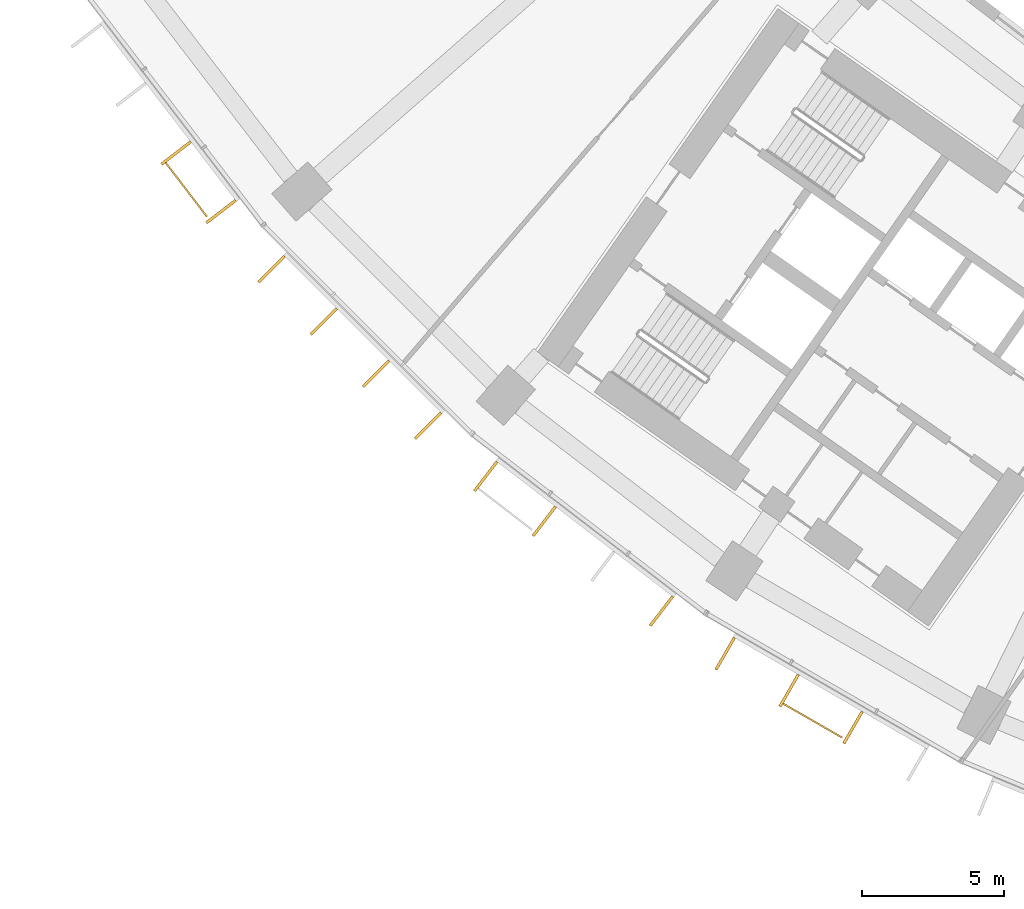
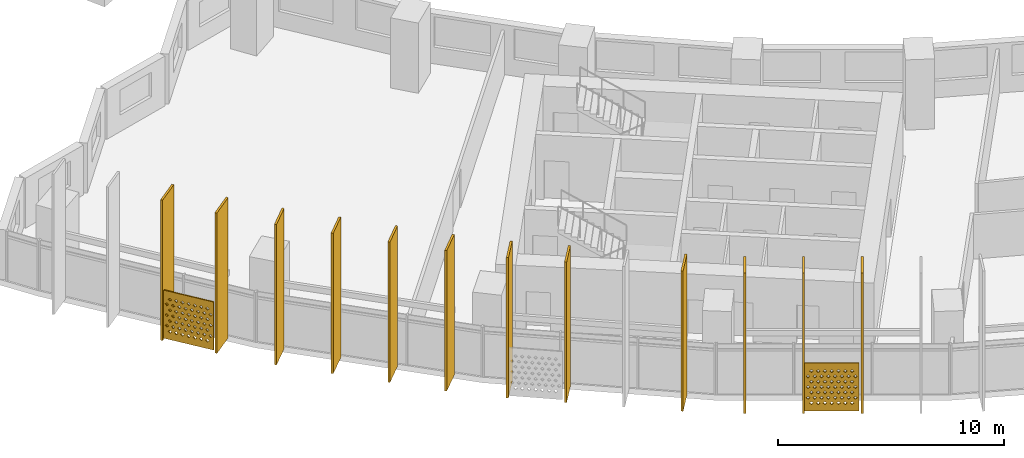
# One storey, part 24 of 31: 14 shading devices.
"""IFC4 building model written with IfcOpenShell, lengths in metres."""

from ifc_helpers import new_model, si_unit, direction, frame, origin, origin_2d, place, context, subcontext, project, spatial, polyline, rectangle, outline, extrude, material, material_profile, profile_set, type_object, element, save


model = new_model("IFC4")

# Units and contexts
model_context = context("Model", 3, precision=1e-05, world=origin(), true_north=direction((0.0, 1.0)))
body_context = subcontext(model_context, "Body", "Model", "MODEL_VIEW")
ifc_project = project(units=[si_unit("LENGTHUNIT", "METRE"), si_unit("AREAUNIT", "SQUARE_METRE"), si_unit("VOLUMEUNIT", "CUBIC_METRE"), si_unit("PLANEANGLEUNIT", "RADIAN"), si_unit("MASSUNIT", "GRAM", prefix="KILO")], contexts=[model_context])

# Site, building, storey
site_placement = place(None, origin())
site = spatial("IfcSite", under=ifc_project, at=site_placement, CompositionType="ELEMENT")
building_placement = place(site_placement, origin())
building = spatial("IfcBuilding", under=site, at=building_placement, Name="Qamariyya Broadcast Tower", CompositionType="ELEMENT")
storey_placement = place(building_placement, frame((0.0, 0.0, 48.10009765625)))
storey = spatial("IfcBuildingStorey", under=building, at=storey_placement, Name="L08", CompositionType="ELEMENT", Elevation=48.10009765625)

# Shading devices
ifc_material_1 = material(Name="Perforated glazed terracotta", Category="masonry")
ifc_material_profile_1 = material_profile(ifc_material_1, outline(polyline([(-1.199951171875, -1.300048828125), (1.199951171875, -1.300048828125), (1.199951171875, 1.300048828125), (-1.199951171875, 1.300048828125), (-1.199951171875, -1.300048828125)]), holes=[polyline([(-0.81494140625, -0.86669921875), (-0.89990234375, -0.78173828125), (-0.985107421875, -0.86669921875), (-0.89990234375, -0.95166015625), (-0.81494140625, -0.86669921875)]), polyline([(-0.514892578125, -0.86669921875), (-0.60009765625, -0.78173828125), (-0.68505859375, -0.86669921875), (-0.60009765625, -0.95166015625), (-0.514892578125, -0.86669921875)]), polyline([(-0.215087890625, -0.86669921875), (-0.300048828125, -0.78173828125), (-0.385009765625, -0.86669921875), (-0.300048828125, -0.95166015625), (-0.215087890625, -0.86669921875)]), polyline([(0.0849609375, -0.86669921875), (0.0, -0.78173828125), (-0.0849609375, -0.86669921875), (0.0, -0.95166015625), (0.0849609375, -0.86669921875)]), polyline([(0.385009765625, -0.86669921875), (0.300048828125, -0.78173828125), (0.215087890625, -0.86669921875), (0.300048828125, -0.95166015625), (0.385009765625, -0.86669921875)]), polyline([(0.68505859375, -0.86669921875), (0.60009765625, -0.78173828125), (0.514892578125, -0.86669921875), (0.60009765625, -0.95166015625), (0.68505859375, -0.86669921875)]), polyline([(0.985107421875, -0.86669921875), (0.89990234375, -0.78173828125), (0.81494140625, -0.86669921875), (0.89990234375, -0.95166015625), (0.985107421875, -0.86669921875)]), polyline([(-0.965087890625, -0.577880859375), (-1.050048828125, -0.49267578125), (-1.135009765625, -0.577880859375), (-1.050048828125, -0.662841796875), (-0.965087890625, -0.577880859375)]), polyline([(-0.6650390625, -0.577880859375), (-0.75, -0.49267578125), (-0.8349609375, -0.577880859375), (-0.75, -0.662841796875), (-0.6650390625, -0.577880859375)]), polyline([(-0.364990234375, -0.577880859375), (-0.449951171875, -0.49267578125), (-0.534912109375, -0.577880859375), (-0.449951171875, -0.662841796875), (-0.364990234375, -0.577880859375)]), polyline([(-0.06494140625, -0.577880859375), (-0.14990234375, -0.49267578125), (-0.235107421875, -0.577880859375), (-0.14990234375, -0.662841796875), (-0.06494140625, -0.577880859375)]), polyline([(0.235107421875, -0.577880859375), (0.14990234375, -0.49267578125), (0.06494140625, -0.577880859375), (0.14990234375, -0.662841796875), (0.235107421875, -0.577880859375)]), polyline([(0.534912109375, -0.577880859375), (0.449951171875, -0.49267578125), (0.364990234375, -0.577880859375), (0.449951171875, -0.662841796875), (0.534912109375, -0.577880859375)]), polyline([(0.8349609375, -0.577880859375), (0.75, -0.49267578125), (0.6650390625, -0.577880859375), (0.75, -0.662841796875), (0.8349609375, -0.577880859375)]), polyline([(1.135009765625, -0.577880859375), (1.050048828125, -0.49267578125), (0.965087890625, -0.577880859375), (1.050048828125, -0.662841796875), (1.135009765625, -0.577880859375)]), polyline([(-0.81494140625, -0.288818359375), (-0.89990234375, -0.203857421875), (-0.985107421875, -0.288818359375), (-0.89990234375, -0.373779296875), (-0.81494140625, -0.288818359375)]), polyline([(-0.514892578125, -0.288818359375), (-0.60009765625, -0.203857421875), (-0.68505859375, -0.288818359375), (-0.60009765625, -0.373779296875), (-0.514892578125, -0.288818359375)]), polyline([(-0.215087890625, -0.288818359375), (-0.300048828125, -0.203857421875), (-0.385009765625, -0.288818359375), (-0.300048828125, -0.373779296875), (-0.215087890625, -0.288818359375)]), polyline([(0.0849609375, -0.288818359375), (0.0, -0.203857421875), (-0.0849609375, -0.288818359375), (0.0, -0.373779296875), (0.0849609375, -0.288818359375)]), polyline([(0.385009765625, -0.288818359375), (0.300048828125, -0.203857421875), (0.215087890625, -0.288818359375), (0.300048828125, -0.373779296875), (0.385009765625, -0.288818359375)]), polyline([(0.68505859375, -0.288818359375), (0.60009765625, -0.203857421875), (0.514892578125, -0.288818359375), (0.60009765625, -0.373779296875), (0.68505859375, -0.288818359375)]), polyline([(0.985107421875, -0.288818359375), (0.89990234375, -0.203857421875), (0.81494140625, -0.288818359375), (0.89990234375, -0.373779296875), (0.985107421875, -0.288818359375)]), polyline([(-0.965087890625, 0.0), (-1.050048828125, 0.0849609375), (-1.135009765625, 0.0), (-1.050048828125, -0.0849609375), (-0.965087890625, 0.0)]), polyline([(-0.6650390625, 0.0), (-0.75, 0.0849609375), (-0.8349609375, 0.0), (-0.75, -0.0849609375), (-0.6650390625, 0.0)]), polyline([(-0.364990234375, 0.0), (-0.449951171875, 0.0849609375), (-0.534912109375, 0.0), (-0.449951171875, -0.0849609375), (-0.364990234375, 0.0)]), polyline([(-0.06494140625, 0.0), (-0.14990234375, 0.0849609375), (-0.235107421875, 0.0), (-0.14990234375, -0.0849609375), (-0.06494140625, 0.0)]), polyline([(0.235107421875, 0.0), (0.14990234375, 0.0849609375), (0.06494140625, 0.0), (0.14990234375, -0.0849609375), (0.235107421875, 0.0)]), polyline([(0.534912109375, 0.0), (0.449951171875, 0.0849609375), (0.364990234375, 0.0), (0.449951171875, -0.0849609375), (0.534912109375, 0.0)]), polyline([(0.8349609375, 0.0), (0.75, 0.0849609375), (0.6650390625, 0.0), (0.75, -0.0849609375), (0.8349609375, 0.0)]), polyline([(1.135009765625, 0.0), (1.050048828125, 0.0849609375), (0.965087890625, 0.0), (1.050048828125, -0.0849609375), (1.135009765625, 0.0)]), polyline([(-0.81494140625, 0.288818359375), (-0.89990234375, 0.373779296875), (-0.985107421875, 0.288818359375), (-0.89990234375, 0.203857421875), (-0.81494140625, 0.288818359375)]), polyline([(-0.514892578125, 0.288818359375), (-0.60009765625, 0.373779296875), (-0.68505859375, 0.288818359375), (-0.60009765625, 0.203857421875), (-0.514892578125, 0.288818359375)]), polyline([(-0.215087890625, 0.288818359375), (-0.300048828125, 0.373779296875), (-0.385009765625, 0.288818359375), (-0.300048828125, 0.203857421875), (-0.215087890625, 0.288818359375)]), polyline([(0.0849609375, 0.288818359375), (0.0, 0.373779296875), (-0.0849609375, 0.288818359375), (0.0, 0.203857421875), (0.0849609375, 0.288818359375)]), polyline([(0.385009765625, 0.288818359375), (0.300048828125, 0.373779296875), (0.215087890625, 0.288818359375), (0.300048828125, 0.203857421875), (0.385009765625, 0.288818359375)]), polyline([(0.68505859375, 0.288818359375), (0.60009765625, 0.373779296875), (0.514892578125, 0.288818359375), (0.60009765625, 0.203857421875), (0.68505859375, 0.288818359375)]), polyline([(0.985107421875, 0.288818359375), (0.89990234375, 0.373779296875), (0.81494140625, 0.288818359375), (0.89990234375, 0.203857421875), (0.985107421875, 0.288818359375)]), polyline([(-0.965087890625, 0.577880859375), (-1.050048828125, 0.662841796875), (-1.135009765625, 0.577880859375), (-1.050048828125, 0.49267578125), (-0.965087890625, 0.577880859375)]), polyline([(-0.6650390625, 0.577880859375), (-0.75, 0.662841796875), (-0.8349609375, 0.577880859375), (-0.75, 0.49267578125), (-0.6650390625, 0.577880859375)]), polyline([(-0.364990234375, 0.577880859375), (-0.449951171875, 0.662841796875), (-0.534912109375, 0.577880859375), (-0.449951171875, 0.49267578125), (-0.364990234375, 0.577880859375)]), polyline([(-0.06494140625, 0.577880859375), (-0.14990234375, 0.662841796875), (-0.235107421875, 0.577880859375), (-0.14990234375, 0.49267578125), (-0.06494140625, 0.577880859375)]), polyline([(0.235107421875, 0.577880859375), (0.14990234375, 0.662841796875), (0.06494140625, 0.577880859375), (0.14990234375, 0.49267578125), (0.235107421875, 0.577880859375)]), polyline([(0.534912109375, 0.577880859375), (0.449951171875, 0.662841796875), (0.364990234375, 0.577880859375), (0.449951171875, 0.49267578125), (0.534912109375, 0.577880859375)]), polyline([(0.8349609375, 0.577880859375), (0.75, 0.662841796875), (0.6650390625, 0.577880859375), (0.75, 0.49267578125), (0.8349609375, 0.577880859375)]), polyline([(1.135009765625, 0.577880859375), (1.050048828125, 0.662841796875), (0.965087890625, 0.577880859375), (1.050048828125, 0.49267578125), (1.135009765625, 0.577880859375)]), polyline([(-0.81494140625, 0.86669921875), (-0.89990234375, 0.95166015625), (-0.985107421875, 0.86669921875), (-0.89990234375, 0.78173828125), (-0.81494140625, 0.86669921875)]), polyline([(-0.514892578125, 0.86669921875), (-0.60009765625, 0.95166015625), (-0.68505859375, 0.86669921875), (-0.60009765625, 0.78173828125), (-0.514892578125, 0.86669921875)]), polyline([(-0.215087890625, 0.86669921875), (-0.300048828125, 0.95166015625), (-0.385009765625, 0.86669921875), (-0.300048828125, 0.78173828125), (-0.215087890625, 0.86669921875)]), polyline([(0.0849609375, 0.86669921875), (0.0, 0.95166015625), (-0.0849609375, 0.86669921875), (0.0, 0.78173828125), (0.0849609375, 0.86669921875)]), polyline([(0.385009765625, 0.86669921875), (0.300048828125, 0.95166015625), (0.215087890625, 0.86669921875), (0.300048828125, 0.78173828125), (0.385009765625, 0.86669921875)]), polyline([(0.68505859375, 0.86669921875), (0.60009765625, 0.95166015625), (0.514892578125, 0.86669921875), (0.60009765625, 0.78173828125), (0.68505859375, 0.86669921875)]), polyline([(0.985107421875, 0.86669921875), (0.89990234375, 0.95166015625), (0.81494140625, 0.86669921875), (0.89990234375, 0.78173828125), (0.985107421875, 0.86669921875)])]))
ifc_profile_set_1 = profile_set([ifc_material_profile_1], Name="Perforated glazed terracotta")
shading_device_type_1 = type_object("IfcShadingDeviceType", Name="Perforated terracotta screen 2400 x 2600", PredefinedType="USERDEFINED", material=ifc_profile_set_1)
shading_device_1_placement = place(storey_placement, frame((-62.509033203125, -51.18212890625, 1.349853515625), z_axis=(-0.794589096806, -0.607147566278, 0.0), x_axis=(0.607147566278, -0.794589096806, 0.0)))
element("IfcShadingDevice", 1, at=shading_device_1_placement, inside=storey, type_object=shading_device_type_1, Name="e-scr-L08-01-2", ObjectType="SCREEN", PredefinedType="USERDEFINED", context=body_context, shape_type="SweptSolid", body=[
    extrude(outline(polyline([(-1.199951171875, -1.300048828125), (1.199951171875, -1.300048828125), (1.199951171875, 1.300048828125), (-1.199951171875, 1.300048828125), (-1.199951171875, -1.300048828125)]), holes=[polyline([(-0.81494140625, -0.86669921875), (-0.89990234375, -0.78173828125), (-0.985107421875, -0.86669921875), (-0.89990234375, -0.95166015625), (-0.81494140625, -0.86669921875)]), polyline([(-0.514892578125, -0.86669921875), (-0.60009765625, -0.78173828125), (-0.68505859375, -0.86669921875), (-0.60009765625, -0.95166015625), (-0.514892578125, -0.86669921875)]), polyline([(-0.215087890625, -0.86669921875), (-0.300048828125, -0.78173828125), (-0.385009765625, -0.86669921875), (-0.300048828125, -0.95166015625), (-0.215087890625, -0.86669921875)]), polyline([(0.0849609375, -0.86669921875), (0.0, -0.78173828125), (-0.0849609375, -0.86669921875), (0.0, -0.95166015625), (0.0849609375, -0.86669921875)]), polyline([(0.385009765625, -0.86669921875), (0.300048828125, -0.78173828125), (0.215087890625, -0.86669921875), (0.300048828125, -0.95166015625), (0.385009765625, -0.86669921875)]), polyline([(0.68505859375, -0.86669921875), (0.60009765625, -0.78173828125), (0.514892578125, -0.86669921875), (0.60009765625, -0.95166015625), (0.68505859375, -0.86669921875)]), polyline([(0.985107421875, -0.86669921875), (0.89990234375, -0.78173828125), (0.81494140625, -0.86669921875), (0.89990234375, -0.95166015625), (0.985107421875, -0.86669921875)]), polyline([(-0.965087890625, -0.577880859375), (-1.050048828125, -0.49267578125), (-1.135009765625, -0.577880859375), (-1.050048828125, -0.662841796875), (-0.965087890625, -0.577880859375)]), polyline([(-0.6650390625, -0.577880859375), (-0.75, -0.49267578125), (-0.8349609375, -0.577880859375), (-0.75, -0.662841796875), (-0.6650390625, -0.577880859375)]), polyline([(-0.364990234375, -0.577880859375), (-0.449951171875, -0.49267578125), (-0.534912109375, -0.577880859375), (-0.449951171875, -0.662841796875), (-0.364990234375, -0.577880859375)]), polyline([(-0.06494140625, -0.577880859375), (-0.14990234375, -0.49267578125), (-0.235107421875, -0.577880859375), (-0.14990234375, -0.662841796875), (-0.06494140625, -0.577880859375)]), polyline([(0.235107421875, -0.577880859375), (0.14990234375, -0.49267578125), (0.06494140625, -0.577880859375), (0.14990234375, -0.662841796875), (0.235107421875, -0.577880859375)]), polyline([(0.534912109375, -0.577880859375), (0.449951171875, -0.49267578125), (0.364990234375, -0.577880859375), (0.449951171875, -0.662841796875), (0.534912109375, -0.577880859375)]), polyline([(0.8349609375, -0.577880859375), (0.75, -0.49267578125), (0.6650390625, -0.577880859375), (0.75, -0.662841796875), (0.8349609375, -0.577880859375)]), polyline([(1.135009765625, -0.577880859375), (1.050048828125, -0.49267578125), (0.965087890625, -0.577880859375), (1.050048828125, -0.662841796875), (1.135009765625, -0.577880859375)]), polyline([(-0.81494140625, -0.288818359375), (-0.89990234375, -0.203857421875), (-0.985107421875, -0.288818359375), (-0.89990234375, -0.373779296875), (-0.81494140625, -0.288818359375)]), polyline([(-0.514892578125, -0.288818359375), (-0.60009765625, -0.203857421875), (-0.68505859375, -0.288818359375), (-0.60009765625, -0.373779296875), (-0.514892578125, -0.288818359375)]), polyline([(-0.215087890625, -0.288818359375), (-0.300048828125, -0.203857421875), (-0.385009765625, -0.288818359375), (-0.300048828125, -0.373779296875), (-0.215087890625, -0.288818359375)]), polyline([(0.0849609375, -0.288818359375), (0.0, -0.203857421875), (-0.0849609375, -0.288818359375), (0.0, -0.373779296875), (0.0849609375, -0.288818359375)]), polyline([(0.385009765625, -0.288818359375), (0.300048828125, -0.203857421875), (0.215087890625, -0.288818359375), (0.300048828125, -0.373779296875), (0.385009765625, -0.288818359375)]), polyline([(0.68505859375, -0.288818359375), (0.60009765625, -0.203857421875), (0.514892578125, -0.288818359375), (0.60009765625, -0.373779296875), (0.68505859375, -0.288818359375)]), polyline([(0.985107421875, -0.288818359375), (0.89990234375, -0.203857421875), (0.81494140625, -0.288818359375), (0.89990234375, -0.373779296875), (0.985107421875, -0.288818359375)]), polyline([(-0.965087890625, 0.0), (-1.050048828125, 0.0849609375), (-1.135009765625, 0.0), (-1.050048828125, -0.0849609375), (-0.965087890625, 0.0)]), polyline([(-0.6650390625, 0.0), (-0.75, 0.0849609375), (-0.8349609375, 0.0), (-0.75, -0.0849609375), (-0.6650390625, 0.0)]), polyline([(-0.364990234375, 0.0), (-0.449951171875, 0.0849609375), (-0.534912109375, 0.0), (-0.449951171875, -0.0849609375), (-0.364990234375, 0.0)]), polyline([(-0.06494140625, 0.0), (-0.14990234375, 0.0849609375), (-0.235107421875, 0.0), (-0.14990234375, -0.0849609375), (-0.06494140625, 0.0)]), polyline([(0.235107421875, 0.0), (0.14990234375, 0.0849609375), (0.06494140625, 0.0), (0.14990234375, -0.0849609375), (0.235107421875, 0.0)]), polyline([(0.534912109375, 0.0), (0.449951171875, 0.0849609375), (0.364990234375, 0.0), (0.449951171875, -0.0849609375), (0.534912109375, 0.0)]), polyline([(0.8349609375, 0.0), (0.75, 0.0849609375), (0.6650390625, 0.0), (0.75, -0.0849609375), (0.8349609375, 0.0)]), polyline([(1.135009765625, 0.0), (1.050048828125, 0.0849609375), (0.965087890625, 0.0), (1.050048828125, -0.0849609375), (1.135009765625, 0.0)]), polyline([(-0.81494140625, 0.288818359375), (-0.89990234375, 0.373779296875), (-0.985107421875, 0.288818359375), (-0.89990234375, 0.203857421875), (-0.81494140625, 0.288818359375)]), polyline([(-0.514892578125, 0.288818359375), (-0.60009765625, 0.373779296875), (-0.68505859375, 0.288818359375), (-0.60009765625, 0.203857421875), (-0.514892578125, 0.288818359375)]), polyline([(-0.215087890625, 0.288818359375), (-0.300048828125, 0.373779296875), (-0.385009765625, 0.288818359375), (-0.300048828125, 0.203857421875), (-0.215087890625, 0.288818359375)]), polyline([(0.0849609375, 0.288818359375), (0.0, 0.373779296875), (-0.0849609375, 0.288818359375), (0.0, 0.203857421875), (0.0849609375, 0.288818359375)]), polyline([(0.385009765625, 0.288818359375), (0.300048828125, 0.373779296875), (0.215087890625, 0.288818359375), (0.300048828125, 0.203857421875), (0.385009765625, 0.288818359375)]), polyline([(0.68505859375, 0.288818359375), (0.60009765625, 0.373779296875), (0.514892578125, 0.288818359375), (0.60009765625, 0.203857421875), (0.68505859375, 0.288818359375)]), polyline([(0.985107421875, 0.288818359375), (0.89990234375, 0.373779296875), (0.81494140625, 0.288818359375), (0.89990234375, 0.203857421875), (0.985107421875, 0.288818359375)]), polyline([(-0.965087890625, 0.577880859375), (-1.050048828125, 0.662841796875), (-1.135009765625, 0.577880859375), (-1.050048828125, 0.49267578125), (-0.965087890625, 0.577880859375)]), polyline([(-0.6650390625, 0.577880859375), (-0.75, 0.662841796875), (-0.8349609375, 0.577880859375), (-0.75, 0.49267578125), (-0.6650390625, 0.577880859375)]), polyline([(-0.364990234375, 0.577880859375), (-0.449951171875, 0.662841796875), (-0.534912109375, 0.577880859375), (-0.449951171875, 0.49267578125), (-0.364990234375, 0.577880859375)]), polyline([(-0.06494140625, 0.577880859375), (-0.14990234375, 0.662841796875), (-0.235107421875, 0.577880859375), (-0.14990234375, 0.49267578125), (-0.06494140625, 0.577880859375)]), polyline([(0.235107421875, 0.577880859375), (0.14990234375, 0.662841796875), (0.06494140625, 0.577880859375), (0.14990234375, 0.49267578125), (0.235107421875, 0.577880859375)]), polyline([(0.534912109375, 0.577880859375), (0.449951171875, 0.662841796875), (0.364990234375, 0.577880859375), (0.449951171875, 0.49267578125), (0.534912109375, 0.577880859375)]), polyline([(0.8349609375, 0.577880859375), (0.75, 0.662841796875), (0.6650390625, 0.577880859375), (0.75, 0.49267578125), (0.8349609375, 0.577880859375)]), polyline([(1.135009765625, 0.577880859375), (1.050048828125, 0.662841796875), (0.965087890625, 0.577880859375), (1.050048828125, 0.49267578125), (1.135009765625, 0.577880859375)]), polyline([(-0.81494140625, 0.86669921875), (-0.89990234375, 0.95166015625), (-0.985107421875, 0.86669921875), (-0.89990234375, 0.78173828125), (-0.81494140625, 0.86669921875)]), polyline([(-0.514892578125, 0.86669921875), (-0.60009765625, 0.95166015625), (-0.68505859375, 0.86669921875), (-0.60009765625, 0.78173828125), (-0.514892578125, 0.86669921875)]), polyline([(-0.215087890625, 0.86669921875), (-0.300048828125, 0.95166015625), (-0.385009765625, 0.86669921875), (-0.300048828125, 0.78173828125), (-0.215087890625, 0.86669921875)]), polyline([(0.0849609375, 0.86669921875), (0.0, 0.95166015625), (-0.0849609375, 0.86669921875), (0.0, 0.78173828125), (0.0849609375, 0.86669921875)]), polyline([(0.385009765625, 0.86669921875), (0.300048828125, 0.95166015625), (0.215087890625, 0.86669921875), (0.300048828125, 0.78173828125), (0.385009765625, 0.86669921875)]), polyline([(0.68505859375, 0.86669921875), (0.60009765625, 0.95166015625), (0.514892578125, 0.86669921875), (0.60009765625, 0.78173828125), (0.68505859375, 0.86669921875)]), polyline([(0.985107421875, 0.86669921875), (0.89990234375, 0.95166015625), (0.81494140625, 0.86669921875), (0.89990234375, 0.78173828125), (0.985107421875, 0.86669921875)])]), origin(), (0.0, 0.0, 1.0), 0.059814453125),
])
shading_device_2_placement = place(storey_placement, frame((-40.420166015625, -69.905029296875, 1.349853515625), z_axis=(-0.498778343083, -0.866729579783, 0.0), x_axis=(0.866729579783, -0.498778343083, 0.0)))
element("IfcShadingDevice", 2, at=shading_device_2_placement, inside=storey, type_object=shading_device_type_1, Name="e-scr-L08-04-1", ObjectType="SCREEN", PredefinedType="USERDEFINED", context=body_context, shape_type="SweptSolid", body=[
    extrude(outline(polyline([(-1.199951171875, -1.300048828125), (1.199951171875, -1.300048828125), (1.199951171875, 1.300048828125), (-1.199951171875, 1.300048828125), (-1.199951171875, -1.300048828125)]), holes=[polyline([(-0.81494140625, -0.86669921875), (-0.89990234375, -0.78173828125), (-0.985107421875, -0.86669921875), (-0.89990234375, -0.95166015625), (-0.81494140625, -0.86669921875)]), polyline([(-0.514892578125, -0.86669921875), (-0.60009765625, -0.78173828125), (-0.68505859375, -0.86669921875), (-0.60009765625, -0.95166015625), (-0.514892578125, -0.86669921875)]), polyline([(-0.215087890625, -0.86669921875), (-0.300048828125, -0.78173828125), (-0.385009765625, -0.86669921875), (-0.300048828125, -0.95166015625), (-0.215087890625, -0.86669921875)]), polyline([(0.0849609375, -0.86669921875), (0.0, -0.78173828125), (-0.0849609375, -0.86669921875), (0.0, -0.95166015625), (0.0849609375, -0.86669921875)]), polyline([(0.385009765625, -0.86669921875), (0.300048828125, -0.78173828125), (0.215087890625, -0.86669921875), (0.300048828125, -0.95166015625), (0.385009765625, -0.86669921875)]), polyline([(0.68505859375, -0.86669921875), (0.60009765625, -0.78173828125), (0.514892578125, -0.86669921875), (0.60009765625, -0.95166015625), (0.68505859375, -0.86669921875)]), polyline([(0.985107421875, -0.86669921875), (0.89990234375, -0.78173828125), (0.81494140625, -0.86669921875), (0.89990234375, -0.95166015625), (0.985107421875, -0.86669921875)]), polyline([(-0.965087890625, -0.577880859375), (-1.050048828125, -0.49267578125), (-1.135009765625, -0.577880859375), (-1.050048828125, -0.662841796875), (-0.965087890625, -0.577880859375)]), polyline([(-0.6650390625, -0.577880859375), (-0.75, -0.49267578125), (-0.8349609375, -0.577880859375), (-0.75, -0.662841796875), (-0.6650390625, -0.577880859375)]), polyline([(-0.364990234375, -0.577880859375), (-0.449951171875, -0.49267578125), (-0.534912109375, -0.577880859375), (-0.449951171875, -0.662841796875), (-0.364990234375, -0.577880859375)]), polyline([(-0.06494140625, -0.577880859375), (-0.14990234375, -0.49267578125), (-0.235107421875, -0.577880859375), (-0.14990234375, -0.662841796875), (-0.06494140625, -0.577880859375)]), polyline([(0.235107421875, -0.577880859375), (0.14990234375, -0.49267578125), (0.06494140625, -0.577880859375), (0.14990234375, -0.662841796875), (0.235107421875, -0.577880859375)]), polyline([(0.534912109375, -0.577880859375), (0.449951171875, -0.49267578125), (0.364990234375, -0.577880859375), (0.449951171875, -0.662841796875), (0.534912109375, -0.577880859375)]), polyline([(0.8349609375, -0.577880859375), (0.75, -0.49267578125), (0.6650390625, -0.577880859375), (0.75, -0.662841796875), (0.8349609375, -0.577880859375)]), polyline([(1.135009765625, -0.577880859375), (1.050048828125, -0.49267578125), (0.965087890625, -0.577880859375), (1.050048828125, -0.662841796875), (1.135009765625, -0.577880859375)]), polyline([(-0.81494140625, -0.288818359375), (-0.89990234375, -0.203857421875), (-0.985107421875, -0.288818359375), (-0.89990234375, -0.373779296875), (-0.81494140625, -0.288818359375)]), polyline([(-0.514892578125, -0.288818359375), (-0.60009765625, -0.203857421875), (-0.68505859375, -0.288818359375), (-0.60009765625, -0.373779296875), (-0.514892578125, -0.288818359375)]), polyline([(-0.215087890625, -0.288818359375), (-0.300048828125, -0.203857421875), (-0.385009765625, -0.288818359375), (-0.300048828125, -0.373779296875), (-0.215087890625, -0.288818359375)]), polyline([(0.0849609375, -0.288818359375), (0.0, -0.203857421875), (-0.0849609375, -0.288818359375), (0.0, -0.373779296875), (0.0849609375, -0.288818359375)]), polyline([(0.385009765625, -0.288818359375), (0.300048828125, -0.203857421875), (0.215087890625, -0.288818359375), (0.300048828125, -0.373779296875), (0.385009765625, -0.288818359375)]), polyline([(0.68505859375, -0.288818359375), (0.60009765625, -0.203857421875), (0.514892578125, -0.288818359375), (0.60009765625, -0.373779296875), (0.68505859375, -0.288818359375)]), polyline([(0.985107421875, -0.288818359375), (0.89990234375, -0.203857421875), (0.81494140625, -0.288818359375), (0.89990234375, -0.373779296875), (0.985107421875, -0.288818359375)]), polyline([(-0.965087890625, 0.0), (-1.050048828125, 0.0849609375), (-1.135009765625, 0.0), (-1.050048828125, -0.0849609375), (-0.965087890625, 0.0)]), polyline([(-0.6650390625, 0.0), (-0.75, 0.0849609375), (-0.8349609375, 0.0), (-0.75, -0.0849609375), (-0.6650390625, 0.0)]), polyline([(-0.364990234375, 0.0), (-0.449951171875, 0.0849609375), (-0.534912109375, 0.0), (-0.449951171875, -0.0849609375), (-0.364990234375, 0.0)]), polyline([(-0.06494140625, 0.0), (-0.14990234375, 0.0849609375), (-0.235107421875, 0.0), (-0.14990234375, -0.0849609375), (-0.06494140625, 0.0)]), polyline([(0.235107421875, 0.0), (0.14990234375, 0.0849609375), (0.06494140625, 0.0), (0.14990234375, -0.0849609375), (0.235107421875, 0.0)]), polyline([(0.534912109375, 0.0), (0.449951171875, 0.0849609375), (0.364990234375, 0.0), (0.449951171875, -0.0849609375), (0.534912109375, 0.0)]), polyline([(0.8349609375, 0.0), (0.75, 0.0849609375), (0.6650390625, 0.0), (0.75, -0.0849609375), (0.8349609375, 0.0)]), polyline([(1.135009765625, 0.0), (1.050048828125, 0.0849609375), (0.965087890625, 0.0), (1.050048828125, -0.0849609375), (1.135009765625, 0.0)]), polyline([(-0.81494140625, 0.288818359375), (-0.89990234375, 0.373779296875), (-0.985107421875, 0.288818359375), (-0.89990234375, 0.203857421875), (-0.81494140625, 0.288818359375)]), polyline([(-0.514892578125, 0.288818359375), (-0.60009765625, 0.373779296875), (-0.68505859375, 0.288818359375), (-0.60009765625, 0.203857421875), (-0.514892578125, 0.288818359375)]), polyline([(-0.215087890625, 0.288818359375), (-0.300048828125, 0.373779296875), (-0.385009765625, 0.288818359375), (-0.300048828125, 0.203857421875), (-0.215087890625, 0.288818359375)]), polyline([(0.0849609375, 0.288818359375), (0.0, 0.373779296875), (-0.0849609375, 0.288818359375), (0.0, 0.203857421875), (0.0849609375, 0.288818359375)]), polyline([(0.385009765625, 0.288818359375), (0.300048828125, 0.373779296875), (0.215087890625, 0.288818359375), (0.300048828125, 0.203857421875), (0.385009765625, 0.288818359375)]), polyline([(0.68505859375, 0.288818359375), (0.60009765625, 0.373779296875), (0.514892578125, 0.288818359375), (0.60009765625, 0.203857421875), (0.68505859375, 0.288818359375)]), polyline([(0.985107421875, 0.288818359375), (0.89990234375, 0.373779296875), (0.81494140625, 0.288818359375), (0.89990234375, 0.203857421875), (0.985107421875, 0.288818359375)]), polyline([(-0.965087890625, 0.577880859375), (-1.050048828125, 0.662841796875), (-1.135009765625, 0.577880859375), (-1.050048828125, 0.49267578125), (-0.965087890625, 0.577880859375)]), polyline([(-0.6650390625, 0.577880859375), (-0.75, 0.662841796875), (-0.8349609375, 0.577880859375), (-0.75, 0.49267578125), (-0.6650390625, 0.577880859375)]), polyline([(-0.364990234375, 0.577880859375), (-0.449951171875, 0.662841796875), (-0.534912109375, 0.577880859375), (-0.449951171875, 0.49267578125), (-0.364990234375, 0.577880859375)]), polyline([(-0.06494140625, 0.577880859375), (-0.14990234375, 0.662841796875), (-0.235107421875, 0.577880859375), (-0.14990234375, 0.49267578125), (-0.06494140625, 0.577880859375)]), polyline([(0.235107421875, 0.577880859375), (0.14990234375, 0.662841796875), (0.06494140625, 0.577880859375), (0.14990234375, 0.49267578125), (0.235107421875, 0.577880859375)]), polyline([(0.534912109375, 0.577880859375), (0.449951171875, 0.662841796875), (0.364990234375, 0.577880859375), (0.449951171875, 0.49267578125), (0.534912109375, 0.577880859375)]), polyline([(0.8349609375, 0.577880859375), (0.75, 0.662841796875), (0.6650390625, 0.577880859375), (0.75, 0.49267578125), (0.8349609375, 0.577880859375)]), polyline([(1.135009765625, 0.577880859375), (1.050048828125, 0.662841796875), (0.965087890625, 0.577880859375), (1.050048828125, 0.49267578125), (1.135009765625, 0.577880859375)]), polyline([(-0.81494140625, 0.86669921875), (-0.89990234375, 0.95166015625), (-0.985107421875, 0.86669921875), (-0.89990234375, 0.78173828125), (-0.81494140625, 0.86669921875)]), polyline([(-0.514892578125, 0.86669921875), (-0.60009765625, 0.95166015625), (-0.68505859375, 0.86669921875), (-0.60009765625, 0.78173828125), (-0.514892578125, 0.86669921875)]), polyline([(-0.215087890625, 0.86669921875), (-0.300048828125, 0.95166015625), (-0.385009765625, 0.86669921875), (-0.300048828125, 0.78173828125), (-0.215087890625, 0.86669921875)]), polyline([(0.0849609375, 0.86669921875), (0.0, 0.95166015625), (-0.0849609375, 0.86669921875), (0.0, 0.78173828125), (0.0849609375, 0.86669921875)]), polyline([(0.385009765625, 0.86669921875), (0.300048828125, 0.95166015625), (0.215087890625, 0.86669921875), (0.300048828125, 0.78173828125), (0.385009765625, 0.86669921875)]), polyline([(0.68505859375, 0.86669921875), (0.60009765625, 0.95166015625), (0.514892578125, 0.86669921875), (0.60009765625, 0.78173828125), (0.68505859375, 0.86669921875)]), polyline([(0.985107421875, 0.86669921875), (0.89990234375, 0.95166015625), (0.81494140625, 0.86669921875), (0.89990234375, 0.78173828125), (0.985107421875, 0.86669921875)])]), origin(), (0.0, 0.0, 1.0), 0.059814453125),
])
ifc_material_2 = material(Name="Glazed terracotta", Category="masonry")
ifc_material_profile_2 = material_profile(ifc_material_2, rectangle(XDim=1.300048828125, YDim=0.10009765625, at=origin_2d()))
ifc_profile_set_2 = profile_set([ifc_material_profile_2], Name="Glazed terracotta")
shading_device_type_2 = type_object("IfcShadingDeviceType", Name="Terracotta fin 100 x 1300", PredefinedType="USERDEFINED", material=ifc_profile_set_2)
for number, where, z_axis, x_axis, name in (
    (3, (-62.897216796875, -49.904296875, 0.0), (0.0, 0.0, 1.0), (-0.793353340291, -0.608761429009, 0.0), "e-fin-L08-01-2"),
    (4, (-61.3115234375, -51.970703125, 0.0), (0.0, 0.0, 1.0), (-0.793353340291, -0.608761429009, 0.0), "e-fin-L08-01-3"),
    (5, (-59.52880859375, -54.00341796875, 0.0), (0.0, 0.0, 1.0), (-0.707106781187, -0.707106781187, 0.0), "e-fin-L08-02-0"),
    (6, (-57.68701171875, -55.84521484375, 0.0), (0.0, 0.0, 1.0), (-0.707106781187, -0.707106781187, 0.0), "e-fin-L08-02-1"),
    (7, (-55.84521484375, -57.68701171875, 0.0), (0.0, 0.0, 1.0), (-0.707106781187, -0.707106781187, 0.0), "e-fin-L08-02-2"),
    (8, (-54.00341796875, -59.52880859375, 0.0), (0.0, 0.0, 1.0), (-0.707106781187, -0.707106781187, 0.0), "e-fin-L08-02-3"),
    (9, (-51.970703125, -61.3115234375, 0.0), (0.0, 0.0, 1.0), (-0.608761429009, -0.793353340291, 0.0), "e-fin-L08-03-0"),
    (10, (-49.904296875, -62.897216796875, 0.0), (0.0, 0.0, 1.0), (-0.608761429009, -0.793353340291, 0.0), "e-fin-L08-03-1"),
    (11, (-45.771484375, -66.068359375, 0.0), (0.0, 0.0, 1.0), (-0.608761429009, -0.793353340291, 0.0), "e-fin-L08-03-3"),
    (12, (-43.523193359375, -67.570556640625, 0.0), (0.0, 0.0, 1.0), (-0.5, -0.866025403784, 0.0), "e-fin-L08-04-0"),
    (13, (-41.267578125, -68.872802734375, 0.0), (0.0, 0.0, 1.0), (-0.5, -0.866025403784, 0.0), "e-fin-L08-04-1"),
    (14, (-39.011962890625, -70.17529296875, 0.0), (0.0, 0.0, 1.0), (-0.5, -0.866025403784, 0.0), "e-fin-L08-04-2"),
):
    element("IfcShadingDevice", number, at=place(storey_placement, frame(where, z_axis=z_axis, x_axis=x_axis)), inside=storey, type_object=shading_device_type_2, Name=name, ObjectType="FIN", PredefinedType="USERDEFINED", context=body_context, shape_type="SweptSolid", body=[
        extrude(rectangle(XDim=1.300048828125, YDim=0.10009765625, at=origin_2d()), origin(), (0.0, 0.0, 1.0), 7.599853515625),
    ])

save(model, "model.ifc")
